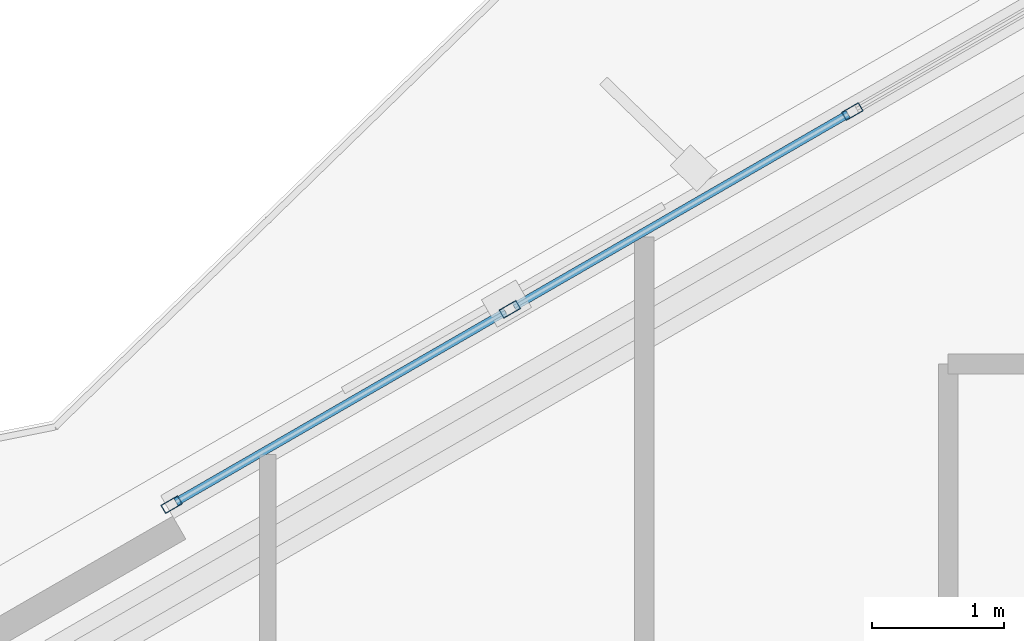
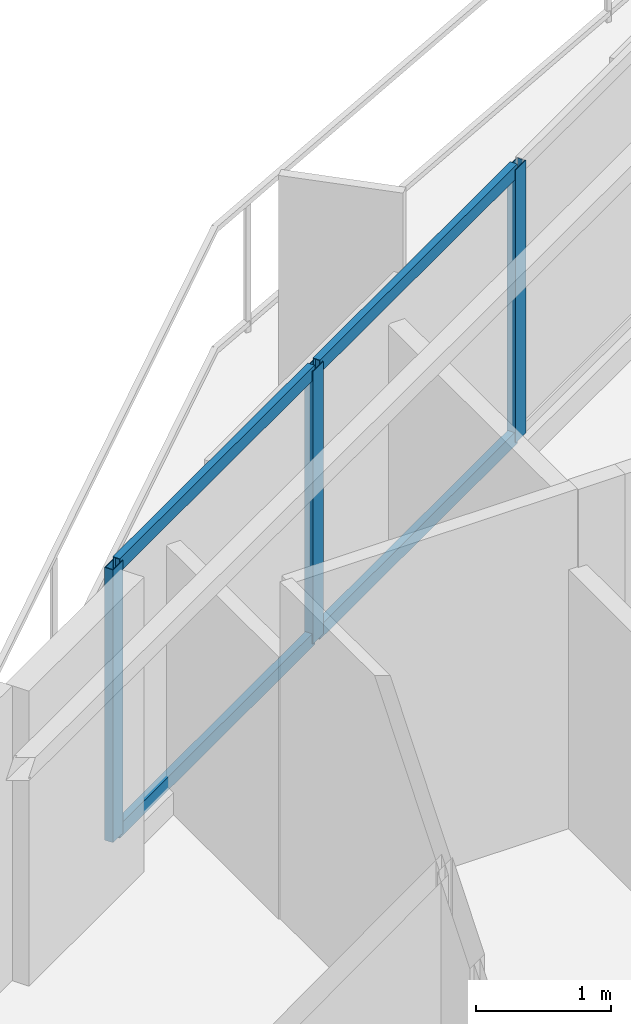
# One storey, part 7 of 18: 7 members, 1 element without a shape of its own.
"""IFC4 building model written with IfcOpenShell, lengths in metres."""

from ifc_helpers import new_model, si_unit, direction, frame, origin, origin_2d, place, context, subcontext, project, spatial, hollow_rectangle, extrude, material, layer, layer_set, material_profile, profile_set, type_object, element, aggregate, save


model = new_model("IFC4")

# Units and contexts
model_context = context("Model", 3, precision=1e-05, world=origin(), true_north=direction((0.0, 1.0)))
body_context = subcontext(model_context, "Body", "Model", "MODEL_VIEW")
ifc_project = project(units=[si_unit("LENGTHUNIT", "METRE"), si_unit("AREAUNIT", "SQUARE_METRE"), si_unit("VOLUMEUNIT", "CUBIC_METRE"), si_unit("PLANEANGLEUNIT", "RADIAN"), si_unit("MASSUNIT", "GRAM", prefix="KILO")], contexts=[model_context])

# Site, building, storey
site_placement = place(None, origin())
site = spatial("IfcSite", under=ifc_project, at=site_placement, CompositionType="ELEMENT")
building_placement = place(site_placement, origin())
building = spatial("IfcBuilding", under=site, at=building_placement, Name="Mersakhor Tower and Convention Hall", CompositionType="ELEMENT")
storey_placement = place(building_placement, frame((0.0, 0.0, 55.5)))
storey = spatial("IfcBuildingStorey", under=building, at=storey_placement, Name="L15", CompositionType="ELEMENT", Elevation=55.5)

# Curtain wall, members
ifc_material_1 = material(Name="Dark solar low-E aluminium curtain wall", Category="aluminium")
ifc_layer = layer(ifc_material_1, 0.159912109375)
ifc_layer_set = layer_set([ifc_layer], Name="Dark solar low-E aluminium curtain wall")
curtain_wall_type = type_object("IfcCurtainWallType", Name="CW-SYS-01", PredefinedType="USERDEFINED", material=ifc_layer_set)
curtain_wall_placement = place(storey_placement, origin())
curtain_wall = element("IfcCurtainWall", 1, at=curtain_wall_placement, inside=storey, type_object=curtain_wall_type, Name="L15 Dark-Glass Curtain Wall F1-B2", ObjectType="CURTAIN WALL", PredefinedType="USERDEFINED")
ifc_material_2 = material(Name="Anodised aluminium EN AW-6063 T6", Category="aluminium")
ifc_material_profile_1 = material_profile(ifc_material_2, hollow_rectangle(XDim=0.074951171875, YDim=0.14990234375, WallThickness=0.00634765625, at=origin_2d()), Name="RHS 150x75x6.3")
ifc_profile_set_1 = profile_set([ifc_material_profile_1], Name="Anodised aluminium EN AW-6063 T6")
member_type_1 = type_object("IfcMemberType", Name="CWM-150x75", PredefinedType="MULLION", material=ifc_profile_set_1)
member_1_placement = place(storey_placement, frame((16.423095703125, 36.635986328125, 0.199951171875), z_axis=(0.0, 0.0, 1.0), x_axis=(-0.50000344889, 0.866023412558, 0.0)))
member_1 = element("IfcMember", 2, at=member_1_placement, type_object=member_type_1, Name="CW-01 mullion 1", PredefinedType="MULLION", context=body_context, shape_type="SweptSolid", body=[
    extrude(hollow_rectangle(XDim=0.074951171875, YDim=0.14990234375, WallThickness=0.00634765625, at=origin_2d()), origin(), (0.0, 0.0, 1.0), 2.4599609375),
])
member_2_placement = place(storey_placement, frame((18.982666015625, 38.11376953125, 0.199951171875), z_axis=(0.0, 0.0, 1.0), x_axis=(-0.50000344889, 0.866023412558, 0.0)))
member_2 = element("IfcMember", 3, at=member_2_placement, type_object=member_type_1, Name="CW-01 mullion 2", PredefinedType="MULLION", context=body_context, shape_type="SweptSolid", body=[
    extrude(hollow_rectangle(XDim=0.074951171875, YDim=0.14990234375, WallThickness=0.00634765625, at=origin_2d()), origin(), (0.0, 0.0, 1.0), 2.4599609375),
])
member_3_placement = place(storey_placement, frame((21.574951171875, 39.610595703125, 0.199951171875), z_axis=(0.0, 0.0, 1.0), x_axis=(-0.50000344889, 0.866023412558, 0.0)))
member_3 = element("IfcMember", 4, at=member_3_placement, type_object=member_type_1, Name="CW-01 mullion 3", PredefinedType="MULLION", context=body_context, shape_type="SweptSolid", body=[
    extrude(hollow_rectangle(XDim=0.074951171875, YDim=0.14990234375, WallThickness=0.00634765625, at=origin_2d()), origin(), (0.0, 0.0, 1.0), 2.4599609375),
])
ifc_material_3 = material(Name="Anodised aluminium EN AW-6063 T6", Category="aluminium")
ifc_material_profile_2 = material_profile(ifc_material_3, hollow_rectangle(XDim=0.06005859375, YDim=0.1201171875, WallThickness=0.0048828125, at=origin_2d()), Name="RHS 120x60x5")
ifc_profile_set_2 = profile_set([ifc_material_profile_2], Name="Anodised aluminium EN AW-6063 T6")
member_type_2 = type_object("IfcMemberType", Name="CWT-120x60", PredefinedType="USERDEFINED", material=ifc_profile_set_2)
member_4_placement = place(storey_placement, frame((16.45556640625, 36.65478515625, 0.22998046875), z_axis=(0.866002100865, 0.500040359669, 0.0), x_axis=(-0.500040359669, 0.866002100865, 0.0)))
member_4 = element("IfcMember", 5, at=member_4_placement, type_object=member_type_2, Name="CW-01 transom 1.1", ObjectType="TRANSOM", PredefinedType="USERDEFINED", context=body_context, shape_type="SweptSolid", body=[
    extrude(hollow_rectangle(XDim=0.06005859375, YDim=0.1201171875, WallThickness=0.0048828125, at=origin_2d()), origin(), (0.0, 0.0, 1.0), 2.880615234375),
])
member_5_placement = place(storey_placement, frame((16.45556640625, 36.65478515625, 2.6298828125), z_axis=(0.866002100865, 0.500040359669, 0.0), x_axis=(-0.500040359669, 0.866002100865, 0.0)))
member_5 = element("IfcMember", 6, at=member_5_placement, type_object=member_type_2, Name="CW-01 transom 1.2", ObjectType="TRANSOM", PredefinedType="USERDEFINED", context=body_context, shape_type="SweptSolid", body=[
    extrude(hollow_rectangle(XDim=0.06005859375, YDim=0.1201171875, WallThickness=0.0048828125, at=origin_2d()), origin(), (0.0, 0.0, 1.0), 2.880615234375),
])
member_6_placement = place(storey_placement, frame((19.01513671875, 38.132568359375, 0.22998046875), z_axis=(0.866015622527, 0.500016941252, 0.0), x_axis=(-0.500016941252, 0.866015622527, 0.0)))
member_6 = element("IfcMember", 7, at=member_6_placement, type_object=member_type_2, Name="CW-01 transom 2.1", ObjectType="TRANSOM", PredefinedType="USERDEFINED", context=body_context, shape_type="SweptSolid", body=[
    extrude(hollow_rectangle(XDim=0.06005859375, YDim=0.1201171875, WallThickness=0.0048828125, at=origin_2d()), origin(), (0.0, 0.0, 1.0), 2.91845703125),
])
member_7_placement = place(storey_placement, frame((19.01513671875, 38.132568359375, 2.6298828125), z_axis=(0.866015622527, 0.500016941252, 0.0), x_axis=(-0.500016941252, 0.866015622527, 0.0)))
member_7 = element("IfcMember", 8, at=member_7_placement, type_object=member_type_2, Name="CW-01 transom 2.2", ObjectType="TRANSOM", PredefinedType="USERDEFINED", context=body_context, shape_type="SweptSolid", body=[
    extrude(hollow_rectangle(XDim=0.06005859375, YDim=0.1201171875, WallThickness=0.0048828125, at=origin_2d()), origin(), (0.0, 0.0, 1.0), 2.91845703125),
])
aggregate(curtain_wall, [member_1, member_2, member_3, member_4, member_5, member_6, member_7])

save(model, "model.ifc")
